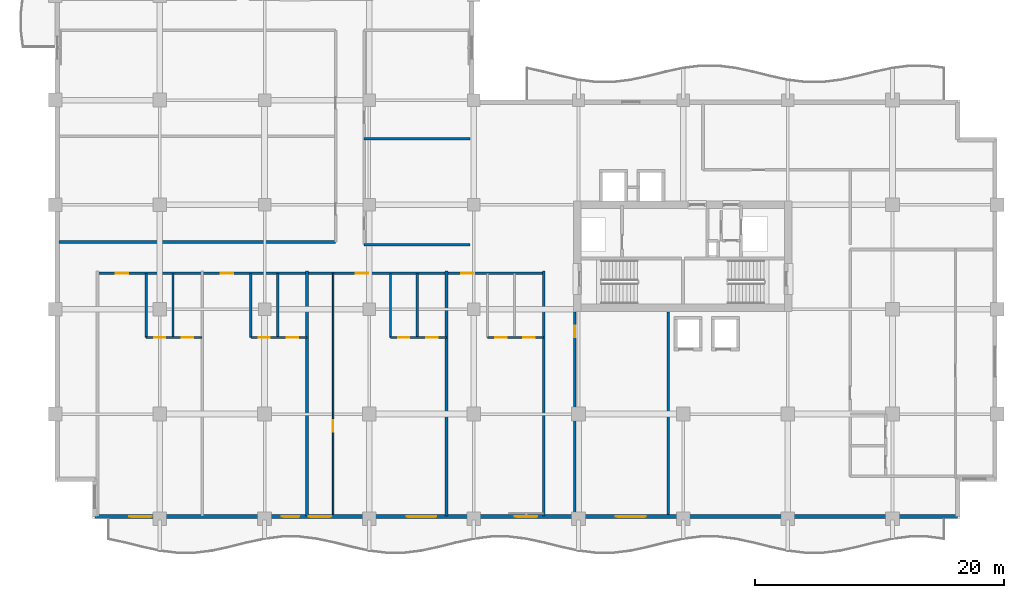
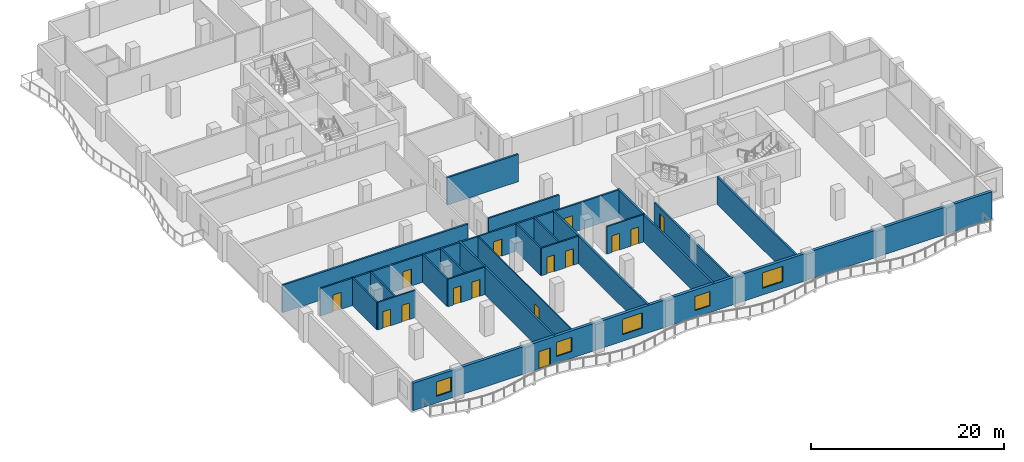
# One storey, part 4 of 14: 21 walls, 15 doors, 5 windows, 20 openings.
"""IFC4 building model written with IfcOpenShell, lengths in metres."""

from ifc_helpers import new_model, si_unit, direction, frame, frame_2d, origin, place, context, subcontext, project, spatial, rectangle, extrude, material, layer, layer_set, type_object, element, fill, save


model = new_model("IFC4")

# Units and contexts
model_context = context("Model", 3, precision=1e-05, world=origin(), true_north=direction((0.0, 1.0)))
body_context = subcontext(model_context, "Body", "Model", "MODEL_VIEW")
ifc_project = project(units=[si_unit("LENGTHUNIT", "METRE"), si_unit("AREAUNIT", "SQUARE_METRE"), si_unit("VOLUMEUNIT", "CUBIC_METRE"), si_unit("PLANEANGLEUNIT", "RADIAN"), si_unit("MASSUNIT", "GRAM", prefix="KILO")], contexts=[model_context])

# Site, building, storey
site_placement = place(None, origin())
site = spatial("IfcSite", under=ifc_project, at=site_placement, CompositionType="ELEMENT")
building_placement = place(site_placement, origin())
building = spatial("IfcBuilding", under=site, at=building_placement, Name="Koriwani Terraces Tower", CompositionType="ELEMENT")
storey_placement = place(building_placement, frame((0.0, 0.0, 201.300048828125)))
storey = spatial("IfcBuildingStorey", under=building, at=storey_placement, Name="L49", CompositionType="ELEMENT", Elevation=201.300048828125)

# Wall, opening, door
ifc_material_1 = material(Name="Autoclaved Cellular Concrete Blockwork", Category="masonry")
ifc_layer_1 = layer(ifc_material_1, 0.199951171875, Name="Autoclaved Cellular Concrete Blockwork")
ifc_layer_set_1 = layer_set([ifc_layer_1], Name="Autoclaved Cellular Concrete Blockwork")
wall_type_1 = type_object("IfcWallType", Name="WALL_CORRIDOR_200", PredefinedType="PARTITIONING", material=ifc_layer_set_1)
wall_1_placement = place(storey_placement, frame((41.699951171875, 0.35009765625, 0.0), z_axis=(0.0, 0.0, 1.0), x_axis=(0.0, 1.0, 0.0)))
wall_1 = element("IfcWall", 1, at=wall_1_placement, inside=storey, type_object=wall_type_1, Name="L49 Interior Wall WREC-EW-L49", PredefinedType="PARTITIONING", context=body_context, shape_type="SweptSolid", body=[
    extrude(rectangle(XDim=16.25, YDim=0.199951171875, at=frame_2d((8.125, 0.0))), origin(), (0.0, 0.0, 1.0), 2.820068359375),
])
opening_1_placement = place(wall_1_placement, frame((14.199951171875, 0.0, 0.0)))
opening_1 = element("IfcOpeningElement", 2, at=opening_1_placement, cuts=wall_1, Name="Opening D-06", PredefinedType="OPENING", context=body_context, shape_type="SweptSolid", body=[
    extrude(rectangle(XDim=0.919921875, YDim=2.10009765625, at=frame_2d((0.4599609375, 1.050048828125))), frame((0.0, 0.10986328125, 0.0), z_axis=(0.0, -1.0, 0.0), x_axis=(1.0, 0.0, 0.0)), (0.0, 0.0, 1.0), 0.219970703125),
])
ifc_material_2 = material(Name="Architectural Oak Fire Door", Category="wood")
door_type_1 = type_object("IfcDoorType", Name="DOOR_ROOM_INT_920X2100", OperationType="NOTDEFINED", PredefinedType="DOOR", material=ifc_material_2)
door_1_placement = place(opening_1_placement, origin())
door_1 = element("IfcDoor", 3, at=door_1_placement, inside=storey, type_object=door_type_1, Name="L49 Resident Co-Working Study Door", OperationType="SINGLE_SWING_RIGHT", OverallHeight=2.10009765625, OverallWidth=0.919921875, PredefinedType="DOOR", context=body_context, shape_type="SweptSolid", body=[
    extrude(rectangle(XDim=0.919921875, YDim=2.10009765625, at=frame_2d((0.4599609375, 1.050048828125))), frame((0.0, 0.02490234375, 0.0), z_axis=(0.0, -1.0, 0.0), x_axis=(1.0, 0.0, 0.0)), (0.0, 0.0, 1.0), 0.050048828125),
])
fill(opening_1, door_1)

# Wall
wall_2_placement = place(storey_placement, frame((24.800048828125, 22.0, 0.0), z_axis=(0.0, 0.0, 1.0), x_axis=(1.0, 0.0, 0.0)))
element("IfcWall", 4, at=wall_2_placement, inside=storey, type_object=wall_type_1, Name="L49 Interior Wall WIC2-S-L49", PredefinedType="PARTITIONING", context=body_context, shape_type="SweptSolid", body=[
    extrude(rectangle(XDim=8.5, YDim=0.199951171875, at=frame_2d((4.25, 0.0))), origin(), (0.0, 0.0, 1.0), 3.469970703125),
])

# Wall, openings, doors
wall_3_placement = place(storey_placement, frame((3.39990234375, 19.699951171875, 0.0), z_axis=(0.0, 0.0, 1.0), x_axis=(1.0, 0.0, 0.0)))
wall_3 = element("IfcWall", 5, at=wall_3_placement, inside=storey, type_object=wall_type_1, Name="L49 Interior Wall WRCOR-L49-SW-0", PredefinedType="PARTITIONING", context=body_context, shape_type="SweptSolid", body=[
    extrude(rectangle(XDim=35.800048828125, YDim=0.199951171875, at=frame_2d((17.89990234375, 0.0))), origin(), (0.0, 0.0, 1.0), 3.469970703125),
])
opening_2_placement = place(wall_3_placement, frame((1.469970703125, 0.0, 0.0)))
opening_2 = element("IfcOpeningElement", 6, at=opening_2_placement, cuts=wall_3, Name="Opening D-05", PredefinedType="OPENING", context=body_context, shape_type="SweptSolid", body=[
    extrude(rectangle(XDim=1.0, YDim=2.14990234375, at=frame_2d((0.5, 1.074951171875))), frame((0.0, 0.10986328125, 0.0), z_axis=(0.0, -1.0, 0.0), x_axis=(1.0, 0.0, 0.0)), (0.0, 0.0, 1.0), 0.219970703125),
])
opening_3_placement = place(wall_3_placement, frame((9.8701171875, 0.0, 0.0)))
opening_3 = element("IfcOpeningElement", 7, at=opening_3_placement, cuts=wall_3, Name="Opening D-05", PredefinedType="OPENING", context=body_context, shape_type="SweptSolid", body=[
    extrude(rectangle(XDim=1.0, YDim=2.14990234375, at=frame_2d((0.5, 1.074951171875))), frame((0.0, 0.10986328125, 0.0), z_axis=(0.0, -1.0, 0.0), x_axis=(1.0, 0.0, 0.0)), (0.0, 0.0, 1.0), 0.219970703125),
])
opening_4_placement = place(wall_3_placement, frame((20.719970703125, 0.0, 0.0)))
opening_4 = element("IfcOpeningElement", 8, at=opening_4_placement, cuts=wall_3, Name="Opening D-05", PredefinedType="OPENING", context=body_context, shape_type="SweptSolid", body=[
    extrude(rectangle(XDim=1.0, YDim=2.14990234375, at=frame_2d((0.5, 1.074951171875))), frame((0.0, 0.10986328125, 0.0), z_axis=(0.0, -1.0, 0.0), x_axis=(1.0, 0.0, 0.0)), (0.0, 0.0, 1.0), 0.219970703125),
])
opening_5_placement = place(wall_3_placement, frame((29.169921875, 0.0, 0.0)))
opening_5 = element("IfcOpeningElement", 9, at=opening_5_placement, cuts=wall_3, Name="Opening D-05", PredefinedType="OPENING", context=body_context, shape_type="SweptSolid", body=[
    extrude(rectangle(XDim=1.0, YDim=2.14990234375, at=frame_2d((0.5, 1.074951171875))), frame((0.0, 0.10986328125, 0.0), z_axis=(0.0, -1.0, 0.0), x_axis=(1.0, 0.0, 0.0)), (0.0, 0.0, 1.0), 0.219970703125),
])
door_type_2 = type_object("IfcDoorType", Name="DOOR_SUITE_ENTRY_1000X2150", OperationType="NOTDEFINED", PredefinedType="DOOR", material=ifc_material_2)
door_2_placement = place(opening_2_placement, origin())
door_2 = element("IfcDoor", 10, at=door_2_placement, inside=storey, type_object=door_type_2, Name="Apartment 49SW1 Entrance Door", OperationType="SINGLE_SWING_LEFT", OverallHeight=2.14990234375, OverallWidth=1.0, PredefinedType="DOOR", context=body_context, shape_type="SweptSolid", body=[
    extrude(rectangle(XDim=1.0, YDim=2.14990234375, at=frame_2d((0.5, 1.074951171875))), frame((0.0, 0.02490234375, 0.0), z_axis=(0.0, -1.0, 0.0), x_axis=(1.0, 0.0, 0.0)), (0.0, 0.0, 1.0), 0.050048828125),
])
fill(opening_2, door_2)
door_3_placement = place(opening_3_placement, origin())
door_3 = element("IfcDoor", 11, at=door_3_placement, inside=storey, type_object=door_type_2, Name="Apartment 49SW2 Entrance Door", OperationType="SINGLE_SWING_RIGHT", OverallHeight=2.14990234375, OverallWidth=1.0, PredefinedType="DOOR", context=body_context, shape_type="SweptSolid", body=[
    extrude(rectangle(XDim=1.0, YDim=2.14990234375, at=frame_2d((0.5, 1.074951171875))), frame((0.0, 0.02490234375, 0.0), z_axis=(0.0, -1.0, 0.0), x_axis=(1.0, 0.0, 0.0)), (0.0, 0.0, 1.0), 0.050048828125),
])
fill(opening_3, door_3)
door_4_placement = place(opening_4_placement, origin())
door_4 = element("IfcDoor", 12, at=door_4_placement, inside=storey, type_object=door_type_2, Name="Apartment 49SW3 Entrance Door", OperationType="SINGLE_SWING_LEFT", OverallHeight=2.14990234375, OverallWidth=1.0, PredefinedType="DOOR", context=body_context, shape_type="SweptSolid", body=[
    extrude(rectangle(XDim=1.0, YDim=2.14990234375, at=frame_2d((0.5, 1.074951171875))), frame((0.0, 0.02490234375, 0.0), z_axis=(0.0, -1.0, 0.0), x_axis=(1.0, 0.0, 0.0)), (0.0, 0.0, 1.0), 0.050048828125),
])
fill(opening_4, door_4)
door_5_placement = place(opening_5_placement, origin())
door_5 = element("IfcDoor", 13, at=door_5_placement, inside=storey, type_object=door_type_2, Name="Apartment 49SW4 Entrance Door", OperationType="SINGLE_SWING_LEFT", OverallHeight=2.14990234375, OverallWidth=1.0, PredefinedType="DOOR", context=body_context, shape_type="SweptSolid", body=[
    extrude(rectangle(XDim=1.0, YDim=2.14990234375, at=frame_2d((0.5, 1.074951171875))), frame((0.0, 0.02490234375, 0.0), z_axis=(0.0, -1.0, 0.0), x_axis=(1.0, 0.0, 0.0)), (0.0, 0.0, 1.0), 0.050048828125),
])
fill(opening_5, door_5)

# Walls
ifc_layer_2 = layer(ifc_material_1, 0.219970703125, Name="Autoclaved Cellular Concrete Blockwork")
ifc_layer_set_2 = layer_set([ifc_layer_2], Name="Autoclaved Cellular Concrete Blockwork")
wall_type_2 = type_object("IfcWallType", Name="WALL_DEMISING_220", PredefinedType="PARTITIONING", material=ifc_layer_set_2)
wall_4_placement = place(storey_placement, frame((49.199951171875, 0.35009765625, 0.0), z_axis=(0.0, 0.0, 1.0), x_axis=(0.0, 1.0, 0.0)))
element("IfcWall", 14, at=wall_4_placement, inside=storey, type_object=wall_type_2, Name="L49 Interior Wall WREC-EE-L49", PredefinedType="PARTITIONING", context=body_context, shape_type="SweptSolid", body=[
    extrude(rectangle(XDim=16.25, YDim=0.219970703125, at=frame_2d((8.125, 0.0))), origin(), (0.0, 0.0, 1.0), 3.469970703125),
])
wall_5_placement = place(storey_placement, frame((24.800048828125, 30.5, 0.0), z_axis=(0.0, 0.0, 1.0), x_axis=(1.0, 0.0, 0.0)))
element("IfcWall", 15, at=wall_5_placement, inside=storey, type_object=wall_type_2, Name="L49 Interior Wall WIC2-M-L49", PredefinedType="PARTITIONING", context=body_context, shape_type="SweptSolid", body=[
    extrude(rectangle(XDim=8.5, YDim=0.219970703125, at=frame_2d((4.25, 0.0))), origin(), (0.0, 0.0, 1.0), 3.469970703125),
])
for number, where, z_axis, x_axis, name in (
    (16, (20.199951171875, 0.199951171875, 0.0), (0.0, 0.0, 1.0), (0.0, 1.0, 0.0), "L49 Interior Wall WRDEM-L49-SW-2"),
    (17, (31.39990234375, 0.199951171875, 0.0), (0.0, 0.0, 1.0), (0.0, 1.0, 0.0), "L49 Interior Wall WRDEM-L49-SW-3"),
    (18, (39.199951171875, 0.199951171875, 0.0), (0.0, 0.0, 1.0), (0.0, 1.0, 0.0), "L49 Interior Wall WRDEME-L49-SW"),
):
    element("IfcWall", number, at=place(storey_placement, frame(where, z_axis=z_axis, x_axis=x_axis)), inside=storey, type_object=wall_type_2, Name=name, PredefinedType="PARTITIONING", context=body_context, shape_type="SweptSolid", body=[
        extrude(rectangle(XDim=19.679931640625, YDim=0.219970703125, at=frame_2d((9.83984375, 0.0))), origin(), (0.0, 0.0, 1.0), 3.469970703125),
    ])
wall_6_placement = place(storey_placement, frame((0.300048828125, 22.199951171875, 0.0), z_axis=(0.0, 0.0, 1.0), x_axis=(1.0, 0.0, 0.0)))
element("IfcWall", 19, at=wall_6_placement, inside=storey, type_object=wall_type_2, Name="L49 Interior Wall WNW3S-L49", PredefinedType="PARTITIONING", context=body_context, shape_type="SweptSolid", body=[
    extrude(rectangle(XDim=22.199951171875, YDim=0.219970703125, at=frame_2d((11.10009765625, 0.0))), origin(), (0.0, 0.0, 1.0), 3.469970703125),
])

# Wall, openings, door, windows
ifc_material_3 = material(Name="Concrete C50/60", Category="concrete")
ifc_layer_3 = layer(ifc_material_3, 0.35009765625, Name="Concrete C50/60")
ifc_layer_set_3 = layer_set([ifc_layer_3], Name="Concrete C50/60")
wall_type_3 = type_object("IfcWallType", Name="WALL_EXT_BRUTALIST_350", PredefinedType="STANDARD", material=ifc_layer_set_3)
wall_7_placement = place(storey_placement, frame((72.425048828125, 0.175048828125, 0.0), z_axis=(0.0, 0.0, 1.0), x_axis=(-1.0, 0.0, 0.0)))
wall_7 = element("IfcWall", 20, at=wall_7_placement, inside=storey, type_object=wall_type_3, Name="L49 Fair-Faced Brutalist Exterior Wall (S)", PredefinedType="STANDARD", context=body_context, shape_type="SweptSolid", body=[
    extrude(rectangle(XDim=69.25, YDim=0.35009765625, at=frame_2d((34.625, 0.0))), origin(), (0.0, 0.0, 1.0), 3.469970703125),
])
opening_6_placement = place(wall_7_placement, frame((52.824951171875, 0.0, 0.0)))
opening_6 = element("IfcOpeningElement", 21, at=opening_6_placement, cuts=wall_7, Name="Opening D-09", PredefinedType="OPENING", context=body_context, shape_type="SweptSolid", body=[
    extrude(rectangle(XDim=1.39990234375, YDim=2.199951171875, at=frame_2d((0.699951171875, 1.10009765625))), frame((0.0, 0.18505859375, 0.0), z_axis=(0.0, -1.0, 0.0), x_axis=(1.0, 0.0, 0.0)), (0.0, 0.0, 1.0), 0.3701171875),
])
opening_7_placement = place(wall_7_placement, frame((41.824951171875, 0.0, 0.85009765625)))
opening_7 = element("IfcOpeningElement", 22, at=opening_7_placement, cuts=wall_7, Name="Opening W-03", PredefinedType="OPENING", context=body_context, shape_type="SweptSolid", body=[
    extrude(rectangle(XDim=2.39990234375, YDim=1.949951171875, at=frame_2d((1.199951171875, 0.97509765625))), frame((0.0, 0.18505859375, 0.0), z_axis=(0.0, -1.0, 0.0), x_axis=(1.0, 0.0, 0.0)), (0.0, 0.0, 1.0), 0.3701171875),
])
opening_8_placement = place(wall_7_placement, frame((33.72509765625, 0.0, 0.85009765625)))
opening_8 = element("IfcOpeningElement", 23, at=opening_8_placement, cuts=wall_7, Name="Opening W-04", PredefinedType="OPENING", context=body_context, shape_type="SweptSolid", body=[
    extrude(rectangle(XDim=1.800048828125, YDim=1.800048828125, at=frame_2d((0.89990234375, 0.89990234375))), frame((0.0, 0.18505859375, 0.0), z_axis=(0.0, -1.0, 0.0), x_axis=(1.0, 0.0, 0.0)), (0.0, 0.0, 1.0), 0.3701171875),
])
opening_9_placement = place(wall_7_placement, frame((25.02490234375, 0.0, 0.85009765625)))
opening_9 = element("IfcOpeningElement", 24, at=opening_9_placement, cuts=wall_7, Name="Opening W-03", PredefinedType="OPENING", context=body_context, shape_type="SweptSolid", body=[
    extrude(rectangle(XDim=2.39990234375, YDim=1.949951171875, at=frame_2d((1.199951171875, 0.97509765625))), frame((0.0, 0.18505859375, 0.0), z_axis=(0.0, -1.0, 0.0), x_axis=(1.0, 0.0, 0.0)), (0.0, 0.0, 1.0), 0.3701171875),
])
opening_10_placement = place(wall_7_placement, frame((64.675048828125, 0.0, 0.85009765625)))
opening_10 = element("IfcOpeningElement", 25, at=opening_10_placement, cuts=wall_7, Name="Opening W-04", PredefinedType="OPENING", context=body_context, shape_type="SweptSolid", body=[
    extrude(rectangle(XDim=1.800048828125, YDim=1.800048828125, at=frame_2d((0.89990234375, 0.89990234375))), frame((0.0, 0.18505859375, 0.0), z_axis=(0.0, -1.0, 0.0), x_axis=(1.0, 0.0, 0.0)), (0.0, 0.0, 1.0), 0.3701171875),
])
opening_11_placement = place(wall_7_placement, frame((50.27490234375, 0.0, 0.85009765625)))
opening_11 = element("IfcOpeningElement", 26, at=opening_11_placement, cuts=wall_7, Name="Opening W-04", PredefinedType="OPENING", context=body_context, shape_type="SweptSolid", body=[
    extrude(rectangle(XDim=1.800048828125, YDim=1.800048828125, at=frame_2d((0.89990234375, 0.89990234375))), frame((0.0, 0.18505859375, 0.0), z_axis=(0.0, -1.0, 0.0), x_axis=(1.0, 0.0, 0.0)), (0.0, 0.0, 1.0), 0.3701171875),
])
ifc_material_4 = material(Name="Anodised Bronze Aluminium", Category="aluminium")
door_type_3 = type_object("IfcDoorType", Name="DOOR_BALCONY_GLAZED_1400X2200", OperationType="NOTDEFINED", PredefinedType="DOOR", material=ifc_material_4)
door_6_placement = place(opening_6_placement, origin())
door_6 = element("IfcDoor", 27, at=door_6_placement, inside=storey, type_object=door_type_3, Name="L49 South Balcony Glazed Door", OperationType="SINGLE_SWING_LEFT", OverallHeight=2.199951171875, OverallWidth=1.39990234375, PredefinedType="DOOR", context=body_context, shape_type="SweptSolid", body=[
    extrude(rectangle(XDim=1.39990234375, YDim=2.199951171875, at=frame_2d((0.699951171875, 1.10009765625))), frame((0.0, 0.02490234375, 0.0), z_axis=(0.0, -1.0, 0.0), x_axis=(1.0, 0.0, 0.0)), (0.0, 0.0, 1.0), 0.050048828125),
])
fill(opening_6, door_6)
ifc_material_5 = material(Name="Tempered Laminated Low-E Glass", Category="glass")
window_type_1 = type_object("IfcWindowType", Name="WIN_RES_BED_1800X1800", PartitioningType="DOUBLE_PANEL_VERTICAL", PredefinedType="WINDOW", material=ifc_material_5)
window_1_placement = place(opening_8_placement, origin())
window_1 = element("IfcWindow", 28, at=window_1_placement, inside=storey, type_object=window_type_1, Name="L49 Exterior Window (S-12)", OverallHeight=1.800048828125, OverallWidth=1.800048828125, PartitioningType="SINGLE_PANEL", PredefinedType="WINDOW", context=body_context, shape_type="SweptSolid", body=[
    extrude(rectangle(XDim=1.800048828125, YDim=1.800048828125, at=frame_2d((0.89990234375, 0.89990234375))), frame((0.0, 0.030029296875, 0.0), z_axis=(0.0, -1.0, 0.0), x_axis=(1.0, 0.0, 0.0)), (0.0, 0.0, 1.0), 0.06005859375),
])
fill(opening_8, window_1)
window_2_placement = place(opening_10_placement, origin())
window_2 = element("IfcWindow", 29, at=window_2_placement, inside=storey, type_object=window_type_1, Name="L49 Exterior Window (S-R35)", OverallHeight=1.800048828125, OverallWidth=1.800048828125, PartitioningType="SINGLE_PANEL", PredefinedType="WINDOW", context=body_context, shape_type="SweptSolid", body=[
    extrude(rectangle(XDim=1.800048828125, YDim=1.800048828125, at=frame_2d((0.89990234375, 0.89990234375))), frame((0.0, 0.030029296875, 0.0), z_axis=(0.0, -1.0, 0.0), x_axis=(1.0, 0.0, 0.0)), (0.0, 0.0, 1.0), 0.06005859375),
])
fill(opening_10, window_2)
window_3_placement = place(opening_11_placement, origin())
window_3 = element("IfcWindow", 30, at=window_3_placement, inside=storey, type_object=window_type_1, Name="L49 Exterior Window (S-R41)", OverallHeight=1.800048828125, OverallWidth=1.800048828125, PartitioningType="SINGLE_PANEL", PredefinedType="WINDOW", context=body_context, shape_type="SweptSolid", body=[
    extrude(rectangle(XDim=1.800048828125, YDim=1.800048828125, at=frame_2d((0.89990234375, 0.89990234375))), frame((0.0, 0.030029296875, 0.0), z_axis=(0.0, -1.0, 0.0), x_axis=(1.0, 0.0, 0.0)), (0.0, 0.0, 1.0), 0.06005859375),
])
fill(opening_11, window_3)
window_type_2 = type_object("IfcWindowType", Name="WIN_RES_LIVING_2400X1950", PartitioningType="DOUBLE_PANEL_VERTICAL", PredefinedType="WINDOW", material=ifc_material_5)
window_4_placement = place(opening_7_placement, origin())
window_4 = element("IfcWindow", 31, at=window_4_placement, inside=storey, type_object=window_type_2, Name="L49 Exterior Window (S-9)", OverallHeight=1.949951171875, OverallWidth=2.39990234375, PartitioningType="SINGLE_PANEL", PredefinedType="WINDOW", context=body_context, shape_type="SweptSolid", body=[
    extrude(rectangle(XDim=2.39990234375, YDim=1.949951171875, at=frame_2d((1.199951171875, 0.97509765625))), frame((0.0, 0.030029296875, 0.0), z_axis=(0.0, -1.0, 0.0), x_axis=(1.0, 0.0, 0.0)), (0.0, 0.0, 1.0), 0.06005859375),
])
fill(opening_7, window_4)
window_5_placement = place(opening_9_placement, origin())
window_5 = element("IfcWindow", 32, at=window_5_placement, inside=storey, type_object=window_type_2, Name="L49 Exterior Window (S-15)", OverallHeight=1.949951171875, OverallWidth=2.39990234375, PartitioningType="SINGLE_PANEL", PredefinedType="WINDOW", context=body_context, shape_type="SweptSolid", body=[
    extrude(rectangle(XDim=2.39990234375, YDim=1.949951171875, at=frame_2d((1.199951171875, 0.97509765625))), frame((0.0, 0.030029296875, 0.0), z_axis=(0.0, -1.0, 0.0), x_axis=(1.0, 0.0, 0.0)), (0.0, 0.0, 1.0), 0.06005859375),
])
fill(opening_9, window_5)

# Wall, opening, door
ifc_material_6 = material(Name="Fire-Rated Acoustic Gypsum Partition", Category="masonry")
ifc_layer_4 = layer(ifc_material_6, 0.125, Name="Fire-Rated Acoustic Gypsum Partition")
ifc_layer_set_4 = layer_set([ifc_layer_4], Name="Fire-Rated Acoustic Gypsum Partition")
wall_type_4 = type_object("IfcWallType", Name="WALL_INT_125", PredefinedType="PARTITIONING", material=ifc_layer_set_4)
wall_8_placement = place(storey_placement, frame((22.300048828125, 0.35009765625, 0.0), z_axis=(0.0, 0.0, 1.0), x_axis=(0.0, 1.0, 0.0)))
wall_8 = element("IfcWall", 33, at=wall_8_placement, inside=storey, type_object=wall_type_4, Name="L49 Interior Wall WRBED1-L49-SW-2", PredefinedType="PARTITIONING", context=body_context, shape_type="SweptSolid", body=[
    extrude(rectangle(XDim=19.349853515625, YDim=0.125, at=frame_2d((9.6748046875, 0.0))), origin(), (0.0, 0.0, 1.0), 3.469970703125),
])
opening_12_placement = place(wall_8_placement, frame((6.639892578125, 0.0, 0.0)))
opening_12 = element("IfcOpeningElement", 34, at=opening_12_placement, cuts=wall_8, Name="Opening D-06", PredefinedType="OPENING", context=body_context, shape_type="SweptSolid", body=[
    extrude(rectangle(XDim=0.919921875, YDim=2.10009765625, at=frame_2d((0.4599609375, 1.050048828125))), frame((0.0, 0.072509765625, 0.0), z_axis=(0.0, -1.0, 0.0), x_axis=(1.0, 0.0, 0.0)), (0.0, 0.0, 1.0), 0.14501953125),
])
door_7_placement = place(opening_12_placement, origin())
door_7 = element("IfcDoor", 35, at=door_7_placement, inside=storey, type_object=door_type_1, Name="Apartment 49SW3 Master Bedroom Door", OperationType="SINGLE_SWING_RIGHT", OverallHeight=2.10009765625, OverallWidth=0.919921875, PredefinedType="DOOR", context=body_context, shape_type="SweptSolid", body=[
    extrude(rectangle(XDim=0.919921875, YDim=2.10009765625, at=frame_2d((0.4599609375, 1.050048828125))), frame((0.0, 0.02490234375, 0.0), z_axis=(0.0, -1.0, 0.0), x_axis=(1.0, 0.0, 0.0)), (0.0, 0.0, 1.0), 0.050048828125),
])
fill(opening_12, door_7)

# Wall, openings, doors
ifc_layer_5 = layer(ifc_material_6, 0.179931640625, Name="Fire-Rated Acoustic Gypsum Partition")
ifc_layer_set_5 = layer_set([ifc_layer_5], Name="Fire-Rated Acoustic Gypsum Partition")
wall_type_5 = type_object("IfcWallType", Name="WALL_PLUMBING_180", PredefinedType="PLUMBINGWALL", material=ifc_layer_set_5)
wall_9_placement = place(storey_placement, frame((7.300048828125, 14.550048828125, 0.0), z_axis=(0.0, 0.0, 1.0), x_axis=(1.0, 0.0, 0.0)))
wall_9 = element("IfcWall", 36, at=wall_9_placement, inside=storey, type_object=wall_type_5, Name="L49 Interior Wall WRSVC-L49-SW-0", PredefinedType="PLUMBINGWALL", context=body_context, shape_type="SweptSolid", body=[
    extrude(rectangle(XDim=4.5, YDim=0.179931640625, at=frame_2d((2.25, 0.0))), origin(), (0.0, 0.0, 1.0), 3.469970703125),
])
opening_13_placement = place(wall_9_placement, frame((0.6298828125, 0.0, 0.0)))
opening_13 = element("IfcOpeningElement", 37, at=opening_13_placement, cuts=wall_9, Name="Opening D-07", PredefinedType="OPENING", context=body_context, shape_type="SweptSolid", body=[
    extrude(rectangle(XDim=0.89990234375, YDim=2.10009765625, at=frame_2d((0.449951171875, 1.050048828125))), frame((0.0, 0.10009765625, 0.0), z_axis=(0.0, -1.0, 0.0), x_axis=(1.0, 0.0, 0.0)), (0.0, 0.0, 1.0), 0.199951171875),
])
opening_14_placement = place(wall_9_placement, frame((2.8701171875, 0.0, 0.0)))
opening_14 = element("IfcOpeningElement", 38, at=opening_14_placement, cuts=wall_9, Name="Opening D-06", PredefinedType="OPENING", context=body_context, shape_type="SweptSolid", body=[
    extrude(rectangle(XDim=0.919921875, YDim=2.10009765625, at=frame_2d((0.4599609375, 1.050048828125))), frame((0.0, 0.10009765625, 0.0), z_axis=(0.0, -1.0, 0.0), x_axis=(1.0, 0.0, 0.0)), (0.0, 0.0, 1.0), 0.199951171875),
])
door_type_4 = type_object("IfcDoorType", Name="DOOR_BATH_INT_900X2100", OperationType="NOTDEFINED", PredefinedType="DOOR", material=ifc_material_2)
door_8_placement = place(opening_13_placement, origin())
door_8 = element("IfcDoor", 39, at=door_8_placement, inside=storey, type_object=door_type_4, Name="Apartment 49SW1 Bathroom Door", OperationType="SINGLE_SWING_RIGHT", OverallHeight=2.10009765625, OverallWidth=0.89990234375, PredefinedType="DOOR", context=body_context, shape_type="SweptSolid", body=[
    extrude(rectangle(XDim=0.89990234375, YDim=2.10009765625, at=frame_2d((0.449951171875, 1.050048828125))), frame((0.0, 0.02490234375, 0.0), z_axis=(0.0, -1.0, 0.0), x_axis=(1.0, 0.0, 0.0)), (0.0, 0.0, 1.0), 0.050048828125),
])
fill(opening_13, door_8)
door_9_placement = place(opening_14_placement, origin())
door_9 = element("IfcDoor", 40, at=door_9_placement, inside=storey, type_object=door_type_1, Name="Apartment 49SW1 Kitchen Door", OperationType="SINGLE_SWING_LEFT", OverallHeight=2.10009765625, OverallWidth=0.919921875, PredefinedType="DOOR", context=body_context, shape_type="SweptSolid", body=[
    extrude(rectangle(XDim=0.919921875, YDim=2.10009765625, at=frame_2d((0.4599609375, 1.050048828125))), frame((0.0, 0.02490234375, 0.0), z_axis=(0.0, -1.0, 0.0), x_axis=(1.0, 0.0, 0.0)), (0.0, 0.0, 1.0), 0.050048828125),
])
fill(opening_14, door_9)

# Walls
for number, where, z_axis, x_axis, name in (
    (41, (7.300048828125, 14.550048828125, 0.0), (0.0, 0.0, 1.0), (0.0, 1.0, 0.0), "L49 Interior Wall WRSVCS-L49-SW-0"),
    (42, (9.4599609375, 14.550048828125, 0.0), (0.0, 0.0, 1.0), (0.0, 1.0, 0.0), "L49 Interior Wall WRSVCM-L49-SW-0"),
):
    element("IfcWall", number, at=place(storey_placement, frame(where, z_axis=z_axis, x_axis=x_axis)), inside=storey, type_object=wall_type_5, Name=name, PredefinedType="PLUMBINGWALL", context=body_context, shape_type="SweptSolid", body=[
        extrude(rectangle(XDim=5.14990234375, YDim=0.179931640625, at=frame_2d((2.574951171875, 0.0))), origin(), (0.0, 0.0, 1.0), 3.469970703125),
    ])

# Wall, openings, doors
wall_10_placement = place(storey_placement, frame((15.699951171875, 14.550048828125, 0.0), z_axis=(0.0, 0.0, 1.0), x_axis=(1.0, 0.0, 0.0)))
wall_10 = element("IfcWall", 43, at=wall_10_placement, inside=storey, type_object=wall_type_5, Name="L49 Interior Wall WRSVC-L49-SW-1", PredefinedType="PLUMBINGWALL", context=body_context, shape_type="SweptSolid", body=[
    extrude(rectangle(XDim=4.5, YDim=0.179931640625, at=frame_2d((2.25, 0.0))), origin(), (0.0, 0.0, 1.0), 3.469970703125),
])
opening_15_placement = place(wall_10_placement, frame((0.6298828125, 0.0, 0.0)))
opening_15 = element("IfcOpeningElement", 44, at=opening_15_placement, cuts=wall_10, Name="Opening D-07", PredefinedType="OPENING", context=body_context, shape_type="SweptSolid", body=[
    extrude(rectangle(XDim=0.89990234375, YDim=2.10009765625, at=frame_2d((0.449951171875, 1.050048828125))), frame((0.0, 0.10009765625, 0.0), z_axis=(0.0, -1.0, 0.0), x_axis=(1.0, 0.0, 0.0)), (0.0, 0.0, 1.0), 0.199951171875),
])
opening_16_placement = place(wall_10_placement, frame((2.8701171875, 0.0, 0.0)))
opening_16 = element("IfcOpeningElement", 45, at=opening_16_placement, cuts=wall_10, Name="Opening D-06", PredefinedType="OPENING", context=body_context, shape_type="SweptSolid", body=[
    extrude(rectangle(XDim=0.919921875, YDim=2.10009765625, at=frame_2d((0.4599609375, 1.050048828125))), frame((0.0, 0.10009765625, 0.0), z_axis=(0.0, -1.0, 0.0), x_axis=(1.0, 0.0, 0.0)), (0.0, 0.0, 1.0), 0.199951171875),
])
door_10_placement = place(opening_15_placement, origin())
door_10 = element("IfcDoor", 46, at=door_10_placement, inside=storey, type_object=door_type_4, Name="Apartment 49SW2 Bathroom Door", OperationType="SINGLE_SWING_LEFT", OverallHeight=2.10009765625, OverallWidth=0.89990234375, PredefinedType="DOOR", context=body_context, shape_type="SweptSolid", body=[
    extrude(rectangle(XDim=0.89990234375, YDim=2.10009765625, at=frame_2d((0.449951171875, 1.050048828125))), frame((0.0, 0.02490234375, 0.0), z_axis=(0.0, -1.0, 0.0), x_axis=(1.0, 0.0, 0.0)), (0.0, 0.0, 1.0), 0.050048828125),
])
fill(opening_15, door_10)
door_11_placement = place(opening_16_placement, origin())
door_11 = element("IfcDoor", 47, at=door_11_placement, inside=storey, type_object=door_type_1, Name="Apartment 49SW2 Kitchen Door", OperationType="SINGLE_SWING_RIGHT", OverallHeight=2.10009765625, OverallWidth=0.919921875, PredefinedType="DOOR", context=body_context, shape_type="SweptSolid", body=[
    extrude(rectangle(XDim=0.919921875, YDim=2.10009765625, at=frame_2d((0.4599609375, 1.050048828125))), frame((0.0, 0.02490234375, 0.0), z_axis=(0.0, -1.0, 0.0), x_axis=(1.0, 0.0, 0.0)), (0.0, 0.0, 1.0), 0.050048828125),
])
fill(opening_16, door_11)

# Walls
for number, where, z_axis, x_axis, name in (
    (48, (15.699951171875, 14.550048828125, 0.0), (0.0, 0.0, 1.0), (0.0, 1.0, 0.0), "L49 Interior Wall WRSVCS-L49-SW-1"),
    (49, (17.860107421875, 14.550048828125, 0.0), (0.0, 0.0, 1.0), (0.0, 1.0, 0.0), "L49 Interior Wall WRSVCM-L49-SW-1"),
):
    element("IfcWall", number, at=place(storey_placement, frame(where, z_axis=z_axis, x_axis=x_axis)), inside=storey, type_object=wall_type_5, Name=name, PredefinedType="PLUMBINGWALL", context=body_context, shape_type="SweptSolid", body=[
        extrude(rectangle(XDim=5.14990234375, YDim=0.179931640625, at=frame_2d((2.574951171875, 0.0))), origin(), (0.0, 0.0, 1.0), 3.469970703125),
    ])

# Wall, openings, doors
wall_11_placement = place(storey_placement, frame((26.89990234375, 14.550048828125, 0.0), z_axis=(0.0, 0.0, 1.0), x_axis=(1.0, 0.0, 0.0)))
wall_11 = element("IfcWall", 50, at=wall_11_placement, inside=storey, type_object=wall_type_5, Name="L49 Interior Wall WRSVC-L49-SW-2", PredefinedType="PLUMBINGWALL", context=body_context, shape_type="SweptSolid", body=[
    extrude(rectangle(XDim=4.5, YDim=0.179931640625, at=frame_2d((2.25, 0.0))), origin(), (0.0, 0.0, 1.0), 3.469970703125),
])
opening_17_placement = place(wall_11_placement, frame((0.6298828125, 0.0, 0.0)))
opening_17 = element("IfcOpeningElement", 51, at=opening_17_placement, cuts=wall_11, Name="Opening D-07", PredefinedType="OPENING", context=body_context, shape_type="SweptSolid", body=[
    extrude(rectangle(XDim=0.89990234375, YDim=2.10009765625, at=frame_2d((0.449951171875, 1.050048828125))), frame((0.0, 0.10009765625, 0.0), z_axis=(0.0, -1.0, 0.0), x_axis=(1.0, 0.0, 0.0)), (0.0, 0.0, 1.0), 0.199951171875),
])
opening_18_placement = place(wall_11_placement, frame((2.8701171875, 0.0, 0.0)))
opening_18 = element("IfcOpeningElement", 52, at=opening_18_placement, cuts=wall_11, Name="Opening D-06", PredefinedType="OPENING", context=body_context, shape_type="SweptSolid", body=[
    extrude(rectangle(XDim=0.919921875, YDim=2.10009765625, at=frame_2d((0.4599609375, 1.050048828125))), frame((0.0, 0.10009765625, 0.0), z_axis=(0.0, -1.0, 0.0), x_axis=(1.0, 0.0, 0.0)), (0.0, 0.0, 1.0), 0.199951171875),
])
door_12_placement = place(opening_17_placement, origin())
door_12 = element("IfcDoor", 53, at=door_12_placement, inside=storey, type_object=door_type_4, Name="Apartment 49SW3 Bathroom Door", OperationType="SINGLE_SWING_RIGHT", OverallHeight=2.10009765625, OverallWidth=0.89990234375, PredefinedType="DOOR", context=body_context, shape_type="SweptSolid", body=[
    extrude(rectangle(XDim=0.89990234375, YDim=2.10009765625, at=frame_2d((0.449951171875, 1.050048828125))), frame((0.0, 0.02490234375, 0.0), z_axis=(0.0, -1.0, 0.0), x_axis=(1.0, 0.0, 0.0)), (0.0, 0.0, 1.0), 0.050048828125),
])
fill(opening_17, door_12)
door_13_placement = place(opening_18_placement, origin())
door_13 = element("IfcDoor", 54, at=door_13_placement, inside=storey, type_object=door_type_1, Name="Apartment 49SW3 Kitchen Door", OperationType="SINGLE_SWING_LEFT", OverallHeight=2.10009765625, OverallWidth=0.919921875, PredefinedType="DOOR", context=body_context, shape_type="SweptSolid", body=[
    extrude(rectangle(XDim=0.919921875, YDim=2.10009765625, at=frame_2d((0.4599609375, 1.050048828125))), frame((0.0, 0.02490234375, 0.0), z_axis=(0.0, -1.0, 0.0), x_axis=(1.0, 0.0, 0.0)), (0.0, 0.0, 1.0), 0.050048828125),
])
fill(opening_18, door_13)

# Walls
for number, where, z_axis, x_axis, name in (
    (55, (26.89990234375, 14.550048828125, 0.0), (0.0, 0.0, 1.0), (0.0, 1.0, 0.0), "L49 Interior Wall WRSVCS-L49-SW-2"),
    (56, (29.06005859375, 14.550048828125, 0.0), (0.0, 0.0, 1.0), (0.0, 1.0, 0.0), "L49 Interior Wall WRSVCM-L49-SW-2"),
):
    element("IfcWall", number, at=place(storey_placement, frame(where, z_axis=z_axis, x_axis=x_axis)), inside=storey, type_object=wall_type_5, Name=name, PredefinedType="PLUMBINGWALL", context=body_context, shape_type="SweptSolid", body=[
        extrude(rectangle(XDim=5.14990234375, YDim=0.179931640625, at=frame_2d((2.574951171875, 0.0))), origin(), (0.0, 0.0, 1.0), 3.469970703125),
    ])

# Wall, openings, doors
wall_12_placement = place(storey_placement, frame((34.699951171875, 14.550048828125, 0.0), z_axis=(0.0, 0.0, 1.0), x_axis=(1.0, 0.0, 0.0)))
wall_12 = element("IfcWall", 57, at=wall_12_placement, inside=storey, type_object=wall_type_5, Name="L49 Interior Wall WRSVC-L49-SW-3", PredefinedType="PLUMBINGWALL", context=body_context, shape_type="SweptSolid", body=[
    extrude(rectangle(XDim=4.5, YDim=0.179931640625, at=frame_2d((2.25, 0.0))), origin(), (0.0, 0.0, 1.0), 3.469970703125),
])
opening_19_placement = place(wall_12_placement, frame((0.6298828125, 0.0, 0.0)))
opening_19 = element("IfcOpeningElement", 58, at=opening_19_placement, cuts=wall_12, Name="Opening D-07", PredefinedType="OPENING", context=body_context, shape_type="SweptSolid", body=[
    extrude(rectangle(XDim=0.89990234375, YDim=2.10009765625, at=frame_2d((0.449951171875, 1.050048828125))), frame((0.0, 0.10009765625, 0.0), z_axis=(0.0, -1.0, 0.0), x_axis=(1.0, 0.0, 0.0)), (0.0, 0.0, 1.0), 0.199951171875),
])
opening_20_placement = place(wall_12_placement, frame((2.8701171875, 0.0, 0.0)))
opening_20 = element("IfcOpeningElement", 59, at=opening_20_placement, cuts=wall_12, Name="Opening D-06", PredefinedType="OPENING", context=body_context, shape_type="SweptSolid", body=[
    extrude(rectangle(XDim=0.919921875, YDim=2.10009765625, at=frame_2d((0.4599609375, 1.050048828125))), frame((0.0, 0.10009765625, 0.0), z_axis=(0.0, -1.0, 0.0), x_axis=(1.0, 0.0, 0.0)), (0.0, 0.0, 1.0), 0.199951171875),
])
door_14_placement = place(opening_19_placement, origin())
door_14 = element("IfcDoor", 60, at=door_14_placement, inside=storey, type_object=door_type_4, Name="Apartment 49SW4 Bathroom Door", OperationType="SINGLE_SWING_RIGHT", OverallHeight=2.10009765625, OverallWidth=0.89990234375, PredefinedType="DOOR", context=body_context, shape_type="SweptSolid", body=[
    extrude(rectangle(XDim=0.89990234375, YDim=2.10009765625, at=frame_2d((0.449951171875, 1.050048828125))), frame((0.0, 0.02490234375, 0.0), z_axis=(0.0, -1.0, 0.0), x_axis=(1.0, 0.0, 0.0)), (0.0, 0.0, 1.0), 0.050048828125),
])
fill(opening_19, door_14)
door_15_placement = place(opening_20_placement, origin())
door_15 = element("IfcDoor", 61, at=door_15_placement, inside=storey, type_object=door_type_1, Name="Apartment 49SW4 Kitchen Door", OperationType="SINGLE_SWING_LEFT", OverallHeight=2.10009765625, OverallWidth=0.919921875, PredefinedType="DOOR", context=body_context, shape_type="SweptSolid", body=[
    extrude(rectangle(XDim=0.919921875, YDim=2.10009765625, at=frame_2d((0.4599609375, 1.050048828125))), frame((0.0, 0.02490234375, 0.0), z_axis=(0.0, -1.0, 0.0), x_axis=(1.0, 0.0, 0.0)), (0.0, 0.0, 1.0), 0.050048828125),
])
fill(opening_20, door_15)

save(model, "model.ifc")
